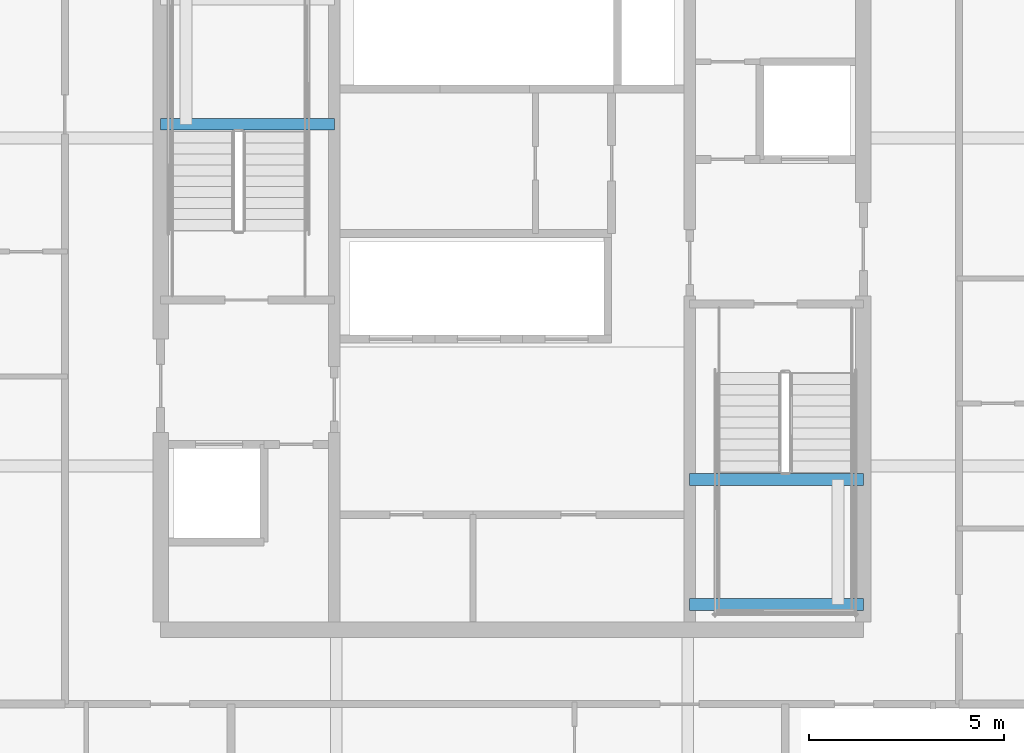
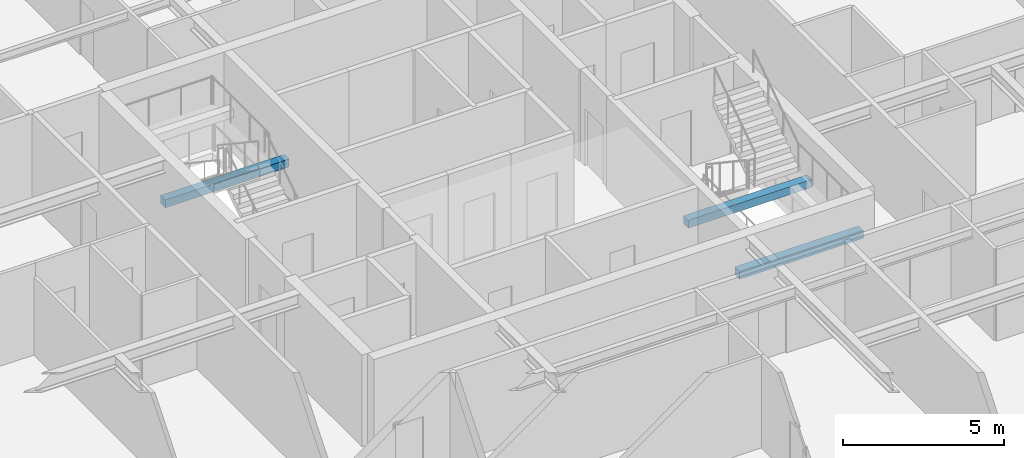
# One storey, part 10 of 37: 3 beams.
"""IFC4 building model written with IfcOpenShell, lengths in metres."""

from ifc_helpers import new_model, si_unit, direction, frame, origin, origin_2d, place, context, subcontext, project, spatial, rectangle, extrude, source, transform, mapped, material, material_profile, profile_set, type_object, element, save


model = new_model("IFC4")

# Units and contexts
model_context = context("Model", 3, precision=1e-05, world=origin(), true_north=direction((0.0, 1.0)))
body_context = subcontext(model_context, "Body", "Model", "MODEL_VIEW")
ifc_project = project(units=[si_unit("LENGTHUNIT", "METRE"), si_unit("AREAUNIT", "SQUARE_METRE"), si_unit("VOLUMEUNIT", "CUBIC_METRE"), si_unit("PLANEANGLEUNIT", "RADIAN"), si_unit("MASSUNIT", "GRAM", prefix="KILO")], contexts=[model_context])

# Site, building, storey
site_placement = place(None, origin())
site = spatial("IfcSite", under=ifc_project, at=site_placement, CompositionType="ELEMENT")
building_placement = place(site_placement, origin())
building = spatial("IfcBuilding", under=site, at=building_placement, Name="Serunith Strait Residences", CompositionType="ELEMENT")
storey_placement = place(building_placement, frame((0.0, 0.0, 161.39990234375)))
storey = spatial("IfcBuildingStorey", under=building, at=storey_placement, Name="L40", CompositionType="ELEMENT", Elevation=161.39990234375)

# Beams
ifc_material = material(Name="Concrete C60/75", Category="concrete")
ifc_material_profile = material_profile(ifc_material, rectangle(XDim=0.300048828125, YDim=0.300048828125, at=origin_2d()), Name="RC 300x300")
ifc_profile_set = profile_set([ifc_material_profile], Name="Concrete C60/75")
beam_type = type_object("IfcBeamType", Name="BM-LAND-300x300", PredefinedType="BEAM", material=ifc_profile_set)
shared_shape_1 = source(origin(), body_context, "Body", "SweptSolid", [
    extrude(rectangle(XDim=0.300048828125, YDim=0.300048828125, at=origin_2d()), origin(), (0.0, 0.0, 1.0), 4.4501953125),
])
beam_placement = place(storey_placement, frame((23.39990234375, 29.75, 1.525146484375), z_axis=(1.0, 0.0, 0.0), x_axis=(0.0, 1.0, 0.0)))
element("IfcBeam", 1, at=beam_placement, inside=storey, type_object=beam_type, Name="L40 ST-1 Landing Support Beam 1", PredefinedType="BEAM", context=body_context, shape_type="MappedRepresentation", body=[
    mapped(shared_shape_1, transform((0.0, 0.0, 0.0), scale=1.0)),
])
shared_shape_2 = source(origin(), body_context, "Body", "SweptSolid", [
    extrude(rectangle(XDim=0.300048828125, YDim=0.300048828125, at=origin_2d()), origin(), (0.0, 0.0, 1.0), 4.449951171875),
])
for number, where, z_axis, x_axis, name in (
    (2, (36.949951171875, 17.449951171875, 1.525146484375), (1.0, 0.0, 0.0), (0.0, 1.0, 0.0), "L40 ST-2 Landing Support Beam 1"),
    (3, (36.949951171875, 20.64990234375, 1.525146484375), (1.0, 0.0, 0.0), (0.0, 1.0, 0.0), "L40 ST-2 Landing Support Beam 2"),
):
    element("IfcBeam", number, at=place(storey_placement, frame(where, z_axis=z_axis, x_axis=x_axis)), inside=storey, type_object=beam_type, Name=name, PredefinedType="BEAM", context=body_context, shape_type="MappedRepresentation", body=[
        mapped(shared_shape_2, transform((0.0, 0.0, 0.0), scale=1.0)),
    ])

save(model, "model.ifc")
